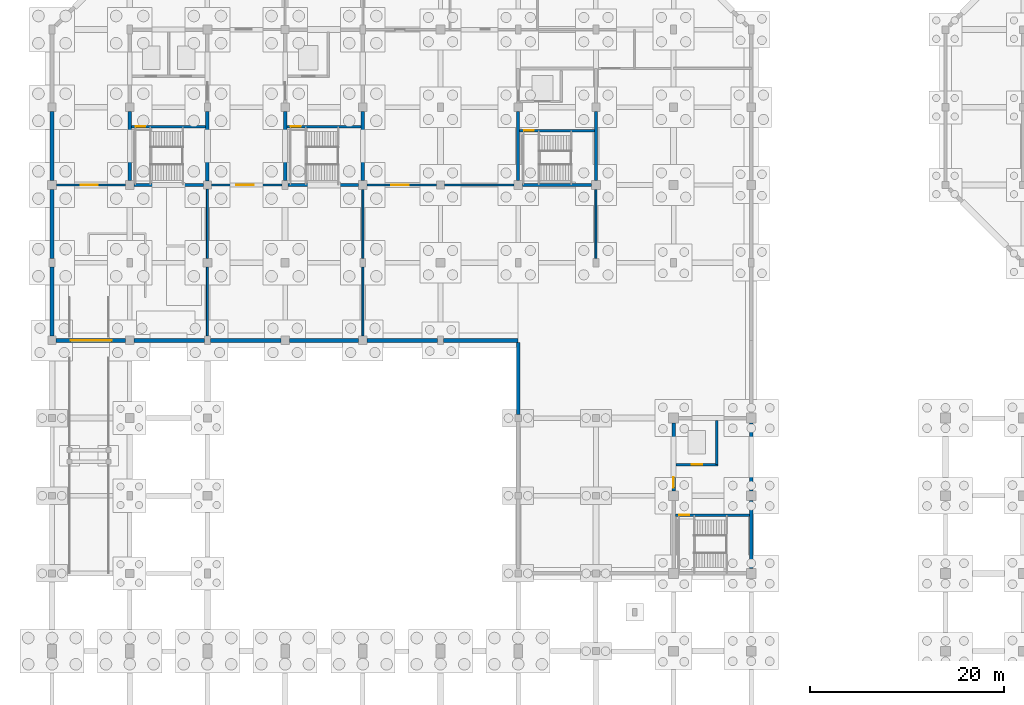
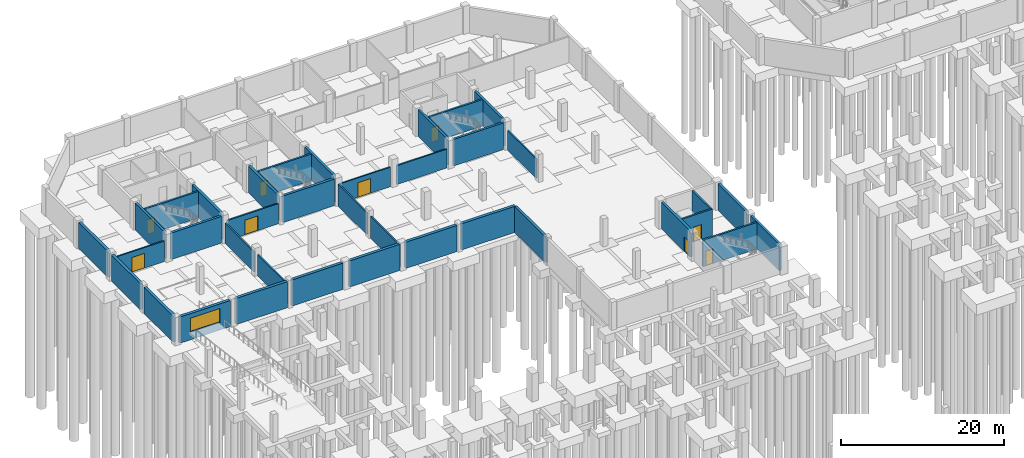
# One storey, part 22 of 32: 37 walls, 10 doors, 10 openings.
"""IFC4 building model written with IfcOpenShell, lengths in metres."""

from ifc_helpers import new_model, si_unit, direction, frame, frame_2d, origin, place, context, subcontext, project, spatial, rectangle, extrude, material, layer, layer_set, type_object, element, fill, save


model = new_model("IFC4")

# Units and contexts
model_context = context("Model", 3, precision=1e-05, world=origin(), true_north=direction((0.0, 1.0)))
body_context = subcontext(model_context, "Body", "Model", "MODEL_VIEW")
ifc_project = project(units=[si_unit("LENGTHUNIT", "METRE"), si_unit("AREAUNIT", "SQUARE_METRE"), si_unit("VOLUMEUNIT", "CUBIC_METRE"), si_unit("PLANEANGLEUNIT", "RADIAN"), si_unit("MASSUNIT", "GRAM", prefix="KILO")], contexts=[model_context])

# Site, building, storey
site_placement = place(None, origin())
site = spatial("IfcSite", under=ifc_project, at=site_placement, CompositionType="ELEMENT")
building_placement = place(site_placement, origin())
building = spatial("IfcBuilding", under=site, at=building_placement, Name="Tenunan Teduh Sports Hall", CompositionType="ELEMENT")
storey_placement = place(building_placement, frame((0.0, 0.0, -4.199951171875)))
storey = spatial("IfcBuildingStorey", under=building, at=storey_placement, Name="B1", CompositionType="ELEMENT", Elevation=-4.199951171875)

# Wall, opening, door
ifc_material_1 = material(Name="Concrete C40/50", Category="concrete")
ifc_layer_1 = layer(ifc_material_1, 0.25)
ifc_layer_set_1 = layer_set([ifc_layer_1], Name="Concrete C40/50")
wall_type_1 = type_object("IfcWallType", Name="WL-COR-250", PredefinedType="SOLIDWALL", material=ifc_layer_set_1)
wall_1_placement = place(storey_placement, frame((14.175048828125, 100.0, 0.0), z_axis=(0.0, 0.0, 1.0), x_axis=(1.0, 0.0, 0.0)))
wall_1 = element("IfcWall", 1, at=wall_1_placement, inside=storey, type_object=wall_type_1, Name="WL-COR-B1-007", PredefinedType="SOLIDWALL", context=body_context, shape_type="SweptSolid", body=[
    extrude(rectangle(XDim=7.64990234375, YDim=0.25, at=frame_2d((3.824951171875, 0.0))), origin(), (0.0, 0.0, 1.0), 3.97998046875),
])
opening_1_placement = place(wall_1_placement, frame((0.425048828125, 0.0, 0.0)))
opening_1 = element("IfcOpeningElement", 2, at=opening_1_placement, cuts=wall_1, Name="Opening FD-01", PredefinedType="OPENING", context=body_context, shape_type="SweptSolid", body=[
    extrude(rectangle(XDim=1.0, YDim=2.199951171875, at=frame_2d((0.5, 1.10009765625))), frame((0.0, 0.135009765625, 0.0), z_axis=(0.0, -1.0, 0.0), x_axis=(1.0, 0.0, 0.0)), (0.0, 0.0, 1.0), 0.27001953125),
])
ifc_material_2 = material(Name="Fire-rated steel leaf and frame", Category="steel")
door_type_1 = type_object("IfcDoorType", Name="FDR-01", OperationType="SINGLE_SWING_LEFT", PredefinedType="DOOR", material=ifc_material_2)
door_1_placement = place(opening_1_placement, frame((1.0, 0.0, 0.0), z_axis=(0.0, 0.0, 1.0), x_axis=(-1.0, 0.0, 0.0)))
door_1 = element("IfcDoor", 3, at=door_1_placement, inside=storey, type_object=door_type_1, Name="DR-INT-B1-002", OperationType="SINGLE_SWING_LEFT", OverallHeight=2.199951171875, OverallWidth=1.0, PredefinedType="DOOR", context=body_context, shape_type="SweptSolid", body=[
    extrude(rectangle(XDim=1.0, YDim=2.199951171875, at=frame_2d((0.5, 1.10009765625))), frame((0.0, 0.02490234375, 0.0), z_axis=(0.0, -1.0, 0.0), x_axis=(1.0, 0.0, 0.0)), (0.0, 0.0, 1.0), 0.050048828125),
])
fill(opening_1, door_1)

wall_2_placement = place(storey_placement, frame((30.175048828125, 100.0, 0.0), z_axis=(0.0, 0.0, 1.0), x_axis=(1.0, 0.0, 0.0)))
wall_2 = element("IfcWall", 4, at=wall_2_placement, inside=storey, type_object=wall_type_1, Name="WL-COR-B1-061", PredefinedType="SOLIDWALL", context=body_context, shape_type="SweptSolid", body=[
    extrude(rectangle(XDim=7.64990234375, YDim=0.25, at=frame_2d((3.824951171875, 0.0))), origin(), (0.0, 0.0, 1.0), 3.97998046875),
])
opening_2_placement = place(wall_2_placement, frame((0.425048828125, 0.0, 0.0)))
opening_2 = element("IfcOpeningElement", 5, at=opening_2_placement, cuts=wall_2, Name="Opening FD-01", PredefinedType="OPENING", context=body_context, shape_type="SweptSolid", body=[
    extrude(rectangle(XDim=1.0, YDim=2.199951171875, at=frame_2d((0.5, 1.10009765625))), frame((0.0, 0.135009765625, 0.0), z_axis=(0.0, -1.0, 0.0), x_axis=(1.0, 0.0, 0.0)), (0.0, 0.0, 1.0), 0.27001953125),
])
door_2_placement = place(opening_2_placement, frame((1.0, 0.0, 0.0), z_axis=(0.0, 0.0, 1.0), x_axis=(-1.0, 0.0, 0.0)))
door_2 = element("IfcDoor", 6, at=door_2_placement, inside=storey, type_object=door_type_1, Name="DR-INT-B1-026", OperationType="SINGLE_SWING_LEFT", OverallHeight=2.199951171875, OverallWidth=1.0, PredefinedType="DOOR", context=body_context, shape_type="SweptSolid", body=[
    extrude(rectangle(XDim=1.0, YDim=2.199951171875, at=frame_2d((0.5, 1.10009765625))), frame((0.0, 0.02490234375, 0.0), z_axis=(0.0, -1.0, 0.0), x_axis=(1.0, 0.0, 0.0)), (0.0, 0.0, 1.0), 0.050048828125),
])
fill(opening_2, door_2)

wall_3_placement = place(storey_placement, frame((54.14990234375, 99.60009765625, 0.0), z_axis=(0.0, 0.0, 1.0), x_axis=(1.0, 0.0, 0.0)))
wall_3 = element("IfcWall", 7, at=wall_3_placement, inside=storey, type_object=wall_type_1, Name="WL-COR-B1-115", PredefinedType="SOLIDWALL", context=body_context, shape_type="SweptSolid", body=[
    extrude(rectangle(XDim=7.7001953125, YDim=0.25, at=frame_2d((3.85009765625, 0.0))), origin(), (0.0, 0.0, 1.0), 3.97998046875),
])
opening_3_placement = place(wall_3_placement, frame((0.449951171875, 0.0, 0.0)))
opening_3 = element("IfcOpeningElement", 8, at=opening_3_placement, cuts=wall_3, Name="Opening FD-01", PredefinedType="OPENING", context=body_context, shape_type="SweptSolid", body=[
    extrude(rectangle(XDim=1.0, YDim=2.199951171875, at=frame_2d((0.5, 1.10009765625))), frame((0.0, 0.135009765625, 0.0), z_axis=(0.0, -1.0, 0.0), x_axis=(1.0, 0.0, 0.0)), (0.0, 0.0, 1.0), 0.27001953125),
])
door_3_placement = place(opening_3_placement, frame((1.0, 0.0, 0.0), z_axis=(0.0, 0.0, 1.0), x_axis=(-1.0, 0.0, 0.0)))
door_3 = element("IfcDoor", 9, at=door_3_placement, inside=storey, type_object=door_type_1, Name="DR-INT-B1-045", OperationType="SINGLE_SWING_RIGHT", OverallHeight=2.199951171875, OverallWidth=1.0, PredefinedType="DOOR", context=body_context, shape_type="SweptSolid", body=[
    extrude(rectangle(XDim=1.0, YDim=2.199951171875, at=frame_2d((0.5, 1.10009765625))), frame((0.0, 0.02490234375, 0.0), z_axis=(0.0, -1.0, 0.0), x_axis=(1.0, 0.0, 0.0)), (0.0, 0.0, 1.0), 0.050048828125),
])
fill(opening_3, door_3)

wall_4_placement = place(storey_placement, frame((70.175048828125, 60.0, 0.0), z_axis=(0.0, 0.0, 1.0), x_axis=(1.0, 0.0, 0.0)))
wall_4 = element("IfcWall", 10, at=wall_4_placement, inside=storey, type_object=wall_type_1, Name="WL-COR-B1-224", PredefinedType="SOLIDWALL", context=body_context, shape_type="SweptSolid", body=[
    extrude(rectangle(XDim=7.64990234375, YDim=0.25, at=frame_2d((3.824951171875, 0.0))), origin(), (0.0, 0.0, 1.0), 3.97998046875),
])
opening_4_placement = place(wall_4_placement, frame((0.425048828125, 0.0, 0.0)))
opening_4 = element("IfcOpeningElement", 11, at=opening_4_placement, cuts=wall_4, Name="Opening FD-01", PredefinedType="OPENING", context=body_context, shape_type="SweptSolid", body=[
    extrude(rectangle(XDim=1.0, YDim=2.199951171875, at=frame_2d((0.5, 1.10009765625))), frame((0.0, 0.135009765625, 0.0), z_axis=(0.0, -1.0, 0.0), x_axis=(1.0, 0.0, 0.0)), (0.0, 0.0, 1.0), 0.27001953125),
])
door_4_placement = place(opening_4_placement, frame((1.0, 0.0, 0.0), z_axis=(0.0, 0.0, 1.0), x_axis=(-1.0, 0.0, 0.0)))
door_4 = element("IfcDoor", 12, at=door_4_placement, inside=storey, type_object=door_type_1, Name="DR-INT-B1-086", OperationType="SINGLE_SWING_LEFT", OverallHeight=2.199951171875, OverallWidth=1.0, PredefinedType="DOOR", context=body_context, shape_type="SweptSolid", body=[
    extrude(rectangle(XDim=1.0, YDim=2.199951171875, at=frame_2d((0.5, 1.10009765625))), frame((0.0, 0.02490234375, 0.0), z_axis=(0.0, -1.0, 0.0), x_axis=(1.0, 0.0, 0.0)), (0.0, 0.0, 1.0), 0.050048828125),
])
fill(opening_4, door_4)

wall_5_placement = place(storey_placement, frame((70.25, 65.199951171875, 0.0), z_axis=(0.0, 0.0, 1.0), x_axis=(1.0, 0.0, 0.0)))
wall_5 = element("IfcWall", 13, at=wall_5_placement, inside=storey, type_object=wall_type_1, Name="WL-COR-B1-225", PredefinedType="SOLIDWALL", context=body_context, shape_type="SweptSolid", body=[
    extrude(rectangle(XDim=4.300048828125, YDim=0.25, at=frame_2d((2.14990234375, 0.0))), origin(), (0.0, 0.0, 1.0), 3.97998046875),
])
opening_5_placement = place(wall_5_placement, frame((1.60009765625, 0.0, 0.0)))
opening_5 = element("IfcOpeningElement", 14, at=opening_5_placement, cuts=wall_5, Name="Opening LD-1", PredefinedType="OPENING", context=body_context, shape_type="SweptSolid", body=[
    extrude(rectangle(XDim=1.10009765625, YDim=2.199951171875, at=frame_2d((0.550048828125, 1.10009765625))), frame((0.0, 0.135009765625, 0.0), z_axis=(0.0, -1.0, 0.0), x_axis=(1.0, 0.0, 0.0)), (0.0, 0.0, 1.0), 0.27001953125),
])
ifc_material_3 = material(Name="Brushed stainless steel landing doors", Category="steel")
door_type_2 = type_object("IfcDoorType", Name="LDR-01", OperationType="DOUBLE_DOOR_SLIDING", PredefinedType="DOOR", material=ifc_material_3)
door_5_placement = place(opening_5_placement, origin())
door_5 = element("IfcDoor", 15, at=door_5_placement, inside=storey, type_object=door_type_2, Name="Lift Landing Door LD-32", OperationType="DOUBLE_DOOR_SLIDING", OverallHeight=2.199951171875, OverallWidth=1.10009765625, PredefinedType="DOOR", context=body_context, shape_type="SweptSolid", body=[
    extrude(rectangle(XDim=1.10009765625, YDim=2.199951171875, at=frame_2d((0.550048828125, 1.10009765625))), frame((0.0, 0.02490234375, 0.0), z_axis=(0.0, -1.0, 0.0), x_axis=(1.0, 0.0, 0.0)), (0.0, 0.0, 1.0), 0.050048828125),
])
fill(opening_5, door_5)

# Wall
wall_6_placement = place(storey_placement, frame((74.449951171875, 65.199951171875, 0.0), z_axis=(0.0, 0.0, 1.0), x_axis=(0.0, 1.0, 0.0)))
element("IfcWall", 16, at=wall_6_placement, inside=storey, type_object=wall_type_1, Name="WL-COR-B1-226", PredefinedType="SOLIDWALL", context=body_context, shape_type="SweptSolid", body=[
    extrude(rectangle(XDim=4.550048828125, YDim=0.25, at=frame_2d((2.27490234375, 0.0))), origin(), (0.0, 0.0, 1.0), 3.97998046875),
])

# Wall, opening, door
ifc_material_4 = material(Name="Autoclaved aerated concrete blockwork", Category="masonry")
ifc_layer_2 = layer(ifc_material_4, 0.199951171875)
ifc_layer_set_2 = layer_set([ifc_layer_2], Name="Autoclaved aerated concrete blockwork")
wall_type_2 = type_object("IfcWallType", Name="WL-PRT-200", PredefinedType="PARTITIONING", material=ifc_layer_set_2)
wall_7_placement = place(storey_placement, frame((6.449951171875, 94.0, 0.0), z_axis=(0.0, 0.0, 1.0), x_axis=(1.0, 0.0, 0.0)))
wall_7 = element("IfcWall", 17, at=wall_7_placement, inside=storey, type_object=wall_type_2, Name="WL-PRT-B1-245", PredefinedType="PARTITIONING", context=body_context, shape_type="SweptSolid", body=[
    extrude(rectangle(XDim=7.10009765625, YDim=0.199951171875, at=frame_2d((3.550048828125, 0.0))), origin(), (0.0, 0.0, 1.0), 3.070068359375),
])
opening_6_placement = place(wall_7_placement, frame((2.47998046875, 0.0, 0.0)))
opening_6 = element("IfcOpeningElement", 18, at=opening_6_placement, cuts=wall_7, Name="Opening FD-03", PredefinedType="OPENING", context=body_context, shape_type="SweptSolid", body=[
    extrude(rectangle(XDim=1.800048828125, YDim=2.199951171875, at=frame_2d((0.89990234375, 1.10009765625))), frame((0.0, 0.10986328125, 0.0), z_axis=(0.0, -1.0, 0.0), x_axis=(1.0, 0.0, 0.0)), (0.0, 0.0, 1.0), 0.219970703125),
])
ifc_material_5 = material(Name="Fire-rated hardwood pair", Category="wood")
door_type_3 = type_object("IfcDoorType", Name="FDR-03", OperationType="DOUBLE_DOOR_SINGLE_SWING", PredefinedType="DOOR", material=ifc_material_5)
door_6_placement = place(opening_6_placement, origin())
door_6 = element("IfcDoor", 19, at=door_6_placement, inside=storey, type_object=door_type_3, Name="DR-INT-B1-094", OperationType="DOUBLE_DOOR_SINGLE_SWING", OverallHeight=2.199951171875, OverallWidth=1.800048828125, PredefinedType="DOOR", context=body_context, shape_type="SweptSolid", body=[
    extrude(rectangle(XDim=1.800048828125, YDim=2.199951171875, at=frame_2d((0.89990234375, 1.10009765625))), frame((0.0, 0.02490234375, 0.0), z_axis=(0.0, -1.0, 0.0), x_axis=(1.0, 0.0, 0.0)), (0.0, 0.0, 1.0), 0.050048828125),
])
fill(opening_6, door_6)

wall_8_placement = place(storey_placement, frame((22.425048828125, 94.0, 0.0), z_axis=(0.0, 0.0, 1.0), x_axis=(1.0, 0.0, 0.0)))
wall_8 = element("IfcWall", 20, at=wall_8_placement, inside=storey, type_object=wall_type_2, Name="WL-PRT-B1-246", PredefinedType="PARTITIONING", context=body_context, shape_type="SweptSolid", body=[
    extrude(rectangle(XDim=7.27490234375, YDim=0.199951171875, at=frame_2d((3.637451171875, 0.0))), origin(), (0.0, 0.0, 1.0), 3.02001953125),
])
opening_7_placement = place(wall_8_placement, frame((2.550048828125, 0.0, 0.0)))
opening_7 = element("IfcOpeningElement", 21, at=opening_7_placement, cuts=wall_8, Name="Opening FD-03", PredefinedType="OPENING", context=body_context, shape_type="SweptSolid", body=[
    extrude(rectangle(XDim=1.800048828125, YDim=2.199951171875, at=frame_2d((0.89990234375, 1.10009765625))), frame((0.0, 0.10986328125, 0.0), z_axis=(0.0, -1.0, 0.0), x_axis=(1.0, 0.0, 0.0)), (0.0, 0.0, 1.0), 0.219970703125),
])
door_7_placement = place(opening_7_placement, origin())
door_7 = element("IfcDoor", 22, at=door_7_placement, inside=storey, type_object=door_type_3, Name="DR-INT-B1-095", OperationType="DOUBLE_DOOR_SINGLE_SWING", OverallHeight=2.199951171875, OverallWidth=1.800048828125, PredefinedType="DOOR", context=body_context, shape_type="SweptSolid", body=[
    extrude(rectangle(XDim=1.800048828125, YDim=2.199951171875, at=frame_2d((0.89990234375, 1.10009765625))), frame((0.0, 0.02490234375, 0.0), z_axis=(0.0, -1.0, 0.0), x_axis=(1.0, 0.0, 0.0)), (0.0, 0.0, 1.0), 0.050048828125),
])
fill(opening_7, door_7)

wall_9_placement = place(storey_placement, frame((38.449951171875, 94.0, 0.0), z_axis=(0.0, 0.0, 1.0), x_axis=(1.0, 0.0, 0.0)))
wall_9 = element("IfcWall", 23, at=wall_9_placement, inside=storey, type_object=wall_type_2, Name="WL-PRT-B1-247", PredefinedType="PARTITIONING", context=body_context, shape_type="SweptSolid", body=[
    extrude(rectangle(XDim=7.125, YDim=0.199951171875, at=frame_2d((3.5625, 0.0))), origin(), (0.0, 0.0, 1.0), 2.919921875),
])
opening_8_placement = place(wall_9_placement, frame((2.489990234375, 0.0, 0.0)))
opening_8 = element("IfcOpeningElement", 24, at=opening_8_placement, cuts=wall_9, Name="Opening FD-03", PredefinedType="OPENING", context=body_context, shape_type="SweptSolid", body=[
    extrude(rectangle(XDim=1.800048828125, YDim=2.199951171875, at=frame_2d((0.89990234375, 1.10009765625))), frame((0.0, 0.10986328125, 0.0), z_axis=(0.0, -1.0, 0.0), x_axis=(1.0, 0.0, 0.0)), (0.0, 0.0, 1.0), 0.219970703125),
])
door_8_placement = place(opening_8_placement, origin())
door_8 = element("IfcDoor", 25, at=door_8_placement, inside=storey, type_object=door_type_3, Name="DR-INT-B1-096", OperationType="DOUBLE_DOOR_SINGLE_SWING", OverallHeight=2.199951171875, OverallWidth=1.800048828125, PredefinedType="DOOR", context=body_context, shape_type="SweptSolid", body=[
    extrude(rectangle(XDim=1.800048828125, YDim=2.199951171875, at=frame_2d((0.89990234375, 1.10009765625))), frame((0.0, 0.02490234375, 0.0), z_axis=(0.0, -1.0, 0.0), x_axis=(1.0, 0.0, 0.0)), (0.0, 0.0, 1.0), 0.050048828125),
])
fill(opening_8, door_8)

# Walls
wall_10_placement = place(storey_placement, frame((46.425048828125, 94.0, 0.0), z_axis=(0.0, 0.0, 1.0), x_axis=(1.0, 0.0, 0.0)))
element("IfcWall", 26, at=wall_10_placement, inside=storey, type_object=wall_type_2, Name="WL-PRT-B1-248", PredefinedType="PARTITIONING", context=body_context, shape_type="SweptSolid", body=[
    extrude(rectangle(XDim=7.125, YDim=0.199951171875, at=frame_2d((3.5625, 0.0))), origin(), (0.0, 0.0, 1.0), 2.820068359375),
])
wall_11_placement = place(storey_placement, frame((22.0, 78.449951171875, 0.0), z_axis=(0.0, 0.0, 1.0), x_axis=(0.0, 1.0, 0.0)))
element("IfcWall", 27, at=wall_11_placement, inside=storey, type_object=wall_type_2, Name="WL-PRT-B1-249", PredefinedType="PARTITIONING", context=body_context, shape_type="SweptSolid", body=[
    extrude(rectangle(XDim=7.10009765625, YDim=0.199951171875, at=frame_2d((3.550048828125, 0.0))), origin(), (0.0, 0.0, 1.0), 3.169921875),
])
wall_12_placement = place(storey_placement, frame((22.0, 86.449951171875, 0.0), z_axis=(0.0, 0.0, 1.0), x_axis=(0.0, 1.0, 0.0)))
element("IfcWall", 28, at=wall_12_placement, inside=storey, type_object=wall_type_2, Name="WL-PRT-B1-250", PredefinedType="PARTITIONING", context=body_context, shape_type="SweptSolid", body=[
    extrude(rectangle(XDim=7.125, YDim=0.199951171875, at=frame_2d((3.5625, 0.0))), origin(), (0.0, 0.0, 1.0), 3.02001953125),
])
wall_13_placement = place(storey_placement, frame((38.0, 78.425048828125, 0.0), z_axis=(0.0, 0.0, 1.0), x_axis=(0.0, 1.0, 0.0)))
element("IfcWall", 29, at=wall_13_placement, inside=storey, type_object=wall_type_2, Name="WL-PRT-B1-251", PredefinedType="PARTITIONING", context=body_context, shape_type="SweptSolid", body=[
    extrude(rectangle(XDim=7.125, YDim=0.199951171875, at=frame_2d((3.5625, 0.0))), origin(), (0.0, 0.0, 1.0), 3.320068359375),
])
wall_14_placement = place(storey_placement, frame((38.0, 86.449951171875, 0.0), z_axis=(0.0, 0.0, 1.0), x_axis=(0.0, 1.0, 0.0)))
element("IfcWall", 30, at=wall_14_placement, inside=storey, type_object=wall_type_2, Name="WL-PRT-B1-252", PredefinedType="PARTITIONING", context=body_context, shape_type="SweptSolid", body=[
    extrude(rectangle(XDim=7.10009765625, YDim=0.199951171875, at=frame_2d((3.550048828125, 0.0))), origin(), (0.0, 0.0, 1.0), 3.27001953125),
])
wall_15_placement = place(storey_placement, frame((62.0, 86.449951171875, 0.0), z_axis=(0.0, 0.0, 1.0), x_axis=(0.0, 1.0, 0.0)))
element("IfcWall", 31, at=wall_15_placement, inside=storey, type_object=wall_type_2, Name="WL-PRT-B1-262", PredefinedType="PARTITIONING", context=body_context, shape_type="SweptSolid", body=[
    extrude(rectangle(XDim=7.10009765625, YDim=0.199951171875, at=frame_2d((3.550048828125, 0.0))), origin(), (0.0, 0.0, 1.0), 2.919921875),
])
ifc_material_6 = material(Name="Concrete C40/50", Category="concrete")
ifc_layer_3 = layer(ifc_material_6, 0.35009765625)
ifc_layer_set_3 = layer_set([ifc_layer_3], Name="Concrete C40/50")
wall_type_3 = type_object("IfcWallType", Name="WL-RET-350", PredefinedType="USERDEFINED", material=ifc_layer_set_3)
wall_16_placement = place(storey_placement, frame((54.0, 70.35009765625, 0.0), z_axis=(0.0, 0.0, 1.0), x_axis=(0.0, 1.0, 0.0)))
element("IfcWall", 32, at=wall_16_placement, inside=storey, type_object=wall_type_3, Name="WL-EXT-B1-027", ObjectType="RETAINING WALL", PredefinedType="USERDEFINED", context=body_context, shape_type="SweptSolid", body=[
    extrude(rectangle(XDim=7.429931640625, YDim=0.35009765625, at=frame_2d((3.71484375, 0.0))), origin(), (0.0, 0.0, 1.0), 3.919921875),
])

# Wall, opening, door
ifc_material_7 = material(Name="Concrete C40/50", Category="concrete")
ifc_layer_4 = layer(ifc_material_7, 0.39990234375)
ifc_layer_set_4 = layer_set([ifc_layer_4], Name="Concrete C40/50")
wall_type_4 = type_object("IfcWallType", Name="WL-RET-400", PredefinedType="USERDEFINED", material=ifc_layer_set_4)
wall_17_placement = place(storey_placement, frame((6.425048828125, 78.0, 0.0), z_axis=(0.0, 0.0, 1.0), x_axis=(1.0, 0.0, 0.0)))
wall_17 = element("IfcWall", 33, at=wall_17_placement, inside=storey, type_object=wall_type_4, Name="WL-EXT-B1-001", ObjectType="RETAINING WALL", PredefinedType="USERDEFINED", context=body_context, shape_type="SweptSolid", body=[
    extrude(rectangle(XDim=7.14990234375, YDim=0.39990234375, at=frame_2d((3.574951171875, 0.0))), origin(), (0.0, 0.0, 1.0), 3.919921875),
])
opening_9_placement = place(wall_17_placement, frame((1.5, 0.0, 1.139892578125)))
opening_9 = element("IfcOpeningElement", 34, at=opening_9_placement, cuts=wall_17, Name="Opening EG-01", PredefinedType="OPENING", context=body_context, shape_type="SweptSolid", body=[
    extrude(rectangle(XDim=4.199951171875, YDim=2.10009765625, at=frame_2d((2.10009765625, 1.050048828125))), frame((0.0, 0.2099609375, 0.0), z_axis=(0.0, -1.0, 0.0), x_axis=(1.0, 0.0, 0.0)), (0.0, 0.0, 1.0), 0.419921875),
])
ifc_material_8 = material(Name="Powder-coated aluminium and laminated safety glass", Category="aluminium")
door_type_4 = type_object("IfcDoorType", Name="EGT-01", OperationType="ROLLINGUP", PredefinedType="GATE", material=ifc_material_8)
door_9_placement = place(opening_9_placement, origin())
door_9 = element("IfcDoor", 35, at=door_9_placement, inside=storey, type_object=door_type_4, Name="DR-EXT-B1-001", OperationType="ROLLINGUP", OverallHeight=2.10009765625, OverallWidth=4.199951171875, PredefinedType="GATE", context=body_context, shape_type="SweptSolid", body=[
    extrude(rectangle(XDim=4.199951171875, YDim=2.10009765625, at=frame_2d((2.10009765625, 1.050048828125))), frame((0.0, 0.02490234375, 0.0), z_axis=(0.0, -1.0, 0.0), x_axis=(1.0, 0.0, 0.0)), (0.0, 0.0, 1.0), 0.050048828125),
])
fill(opening_9, door_9)

# Walls
wall_18_placement = place(storey_placement, frame((14.425048828125, 78.0, 0.0), z_axis=(0.0, 0.0, 1.0), x_axis=(1.0, 0.0, 0.0)))
element("IfcWall", 36, at=wall_18_placement, inside=storey, type_object=wall_type_4, Name="WL-EXT-B1-002", ObjectType="RETAINING WALL", PredefinedType="USERDEFINED", context=body_context, shape_type="SweptSolid", body=[
    extrude(rectangle(XDim=7.27490234375, YDim=0.39990234375, at=frame_2d((3.637451171875, 0.0))), origin(), (0.0, 0.0, 1.0), 3.919921875),
])
wall_19_placement = place(storey_placement, frame((22.300048828125, 78.0, 0.0), z_axis=(0.0, 0.0, 1.0), x_axis=(1.0, 0.0, 0.0)))
element("IfcWall", 37, at=wall_19_placement, inside=storey, type_object=wall_type_4, Name="WL-EXT-B1-003", ObjectType="RETAINING WALL", PredefinedType="USERDEFINED", context=body_context, shape_type="SweptSolid", body=[
    extrude(rectangle(XDim=7.25, YDim=0.39990234375, at=frame_2d((3.625, 0.0))), origin(), (0.0, 0.0, 1.0), 3.919921875),
])
wall_20_placement = place(storey_placement, frame((30.449951171875, 78.0, 0.0), z_axis=(0.0, 0.0, 1.0), x_axis=(1.0, 0.0, 0.0)))
element("IfcWall", 38, at=wall_20_placement, inside=storey, type_object=wall_type_4, Name="WL-EXT-B1-004", ObjectType="RETAINING WALL", PredefinedType="USERDEFINED", context=body_context, shape_type="SweptSolid", body=[
    extrude(rectangle(XDim=7.125, YDim=0.39990234375, at=frame_2d((3.5625, 0.0))), origin(), (0.0, 0.0, 1.0), 3.919921875),
])
wall_21_placement = place(storey_placement, frame((38.425048828125, 78.0, 0.0), z_axis=(0.0, 0.0, 1.0), x_axis=(1.0, 0.0, 0.0)))
element("IfcWall", 39, at=wall_21_placement, inside=storey, type_object=wall_type_4, Name="WL-EXT-B1-005", ObjectType="RETAINING WALL", PredefinedType="USERDEFINED", context=body_context, shape_type="SweptSolid", body=[
    extrude(rectangle(XDim=7.27490234375, YDim=0.39990234375, at=frame_2d((3.637451171875, 0.0))), origin(), (0.0, 0.0, 1.0), 3.919921875),
])
wall_22_placement = place(storey_placement, frame((46.300048828125, 78.0, 0.0), z_axis=(0.0, 0.0, 1.0), x_axis=(1.0, 0.0, 0.0)))
element("IfcWall", 40, at=wall_22_placement, inside=storey, type_object=wall_type_4, Name="WL-EXT-B1-006", ObjectType="RETAINING WALL", PredefinedType="USERDEFINED", context=body_context, shape_type="SweptSolid", body=[
    extrude(rectangle(XDim=7.699951171875, YDim=0.39990234375, at=frame_2d((3.85009765625, 0.0))), origin(), (0.0, 0.0, 1.0), 3.919921875),
])
wall_23_placement = place(storey_placement, frame((6.0, 78.425048828125, 0.0), z_axis=(0.0, 0.0, 1.0), x_axis=(0.0, 1.0, 0.0)))
element("IfcWall", 41, at=wall_23_placement, inside=storey, type_object=wall_type_4, Name="WL-EXT-B1-007", ObjectType="RETAINING WALL", PredefinedType="USERDEFINED", context=body_context, shape_type="SweptSolid", body=[
    extrude(rectangle(XDim=7.125, YDim=0.39990234375, at=frame_2d((3.5625, 0.0))), origin(), (0.0, 0.0, 1.0), 3.919921875),
])
wall_24_placement = place(storey_placement, frame((6.0, 86.449951171875, 0.0), z_axis=(0.0, 0.0, 1.0), x_axis=(0.0, 1.0, 0.0)))
element("IfcWall", 42, at=wall_24_placement, inside=storey, type_object=wall_type_4, Name="WL-EXT-B1-008", ObjectType="RETAINING WALL", PredefinedType="USERDEFINED", context=body_context, shape_type="SweptSolid", body=[
    extrude(rectangle(XDim=7.10009765625, YDim=0.39990234375, at=frame_2d((3.550048828125, 0.0))), origin(), (0.0, 0.0, 1.0), 3.919921875),
])
wall_25_placement = place(storey_placement, frame((6.0, 94.449951171875, 0.0), z_axis=(0.0, 0.0, 1.0), x_axis=(0.0, 1.0, 0.0)))
element("IfcWall", 43, at=wall_25_placement, inside=storey, type_object=wall_type_4, Name="WL-EXT-B1-009", ObjectType="RETAINING WALL", PredefinedType="USERDEFINED", context=body_context, shape_type="SweptSolid", body=[
    extrude(rectangle(XDim=7.125, YDim=0.39990234375, at=frame_2d((3.5625, 0.0))), origin(), (0.0, 0.0, 1.0), 3.919921875),
])
ifc_material_9 = material(Name="Concrete C40/50", Category="concrete")
ifc_layer_5 = layer(ifc_material_9, 0.300048828125)
ifc_layer_set_5 = layer_set([ifc_layer_5], Name="Concrete C40/50")
wall_type_5 = type_object("IfcWallType", Name="WL-SHR-300", PredefinedType="SHEAR", material=ifc_layer_set_5)
wall_26_placement = place(storey_placement, frame((54.449951171875, 94.0, 0.0), z_axis=(0.0, 0.0, 1.0), x_axis=(1.0, 0.0, 0.0)))
element("IfcWall", 44, at=wall_26_placement, inside=storey, type_object=wall_type_5, Name="WL-COR-B1-109", PredefinedType="SHEAR", context=body_context, shape_type="SweptSolid", body=[
    extrude(rectangle(XDim=7.10009765625, YDim=0.300048828125, at=frame_2d((3.550048828125, 0.0))), origin(), (0.0, 0.0, 1.0), 3.97998046875),
])
for number, where, z_axis, x_axis, name in (
    (45, (54.0, 94.449951171875, 0.0), (0.0, 0.0, 1.0), (0.0, 1.0, 0.0), "WL-COR-B1-111"),
    (46, (62.0, 94.449951171875, 0.0), (0.0, 0.0, 1.0), (0.0, 1.0, 0.0), "WL-COR-B1-113"),
):
    element("IfcWall", number, at=place(storey_placement, frame(where, z_axis=z_axis, x_axis=x_axis)), inside=storey, type_object=wall_type_5, Name=name, PredefinedType="SHEAR", context=body_context, shape_type="SweptSolid", body=[
        extrude(rectangle(XDim=7.125, YDim=0.300048828125, at=frame_2d((3.5625, 0.0))), origin(), (0.0, 0.0, 1.0), 3.97998046875),
    ])
ifc_material_10 = material(Name="Concrete C40/50", Category="concrete")
ifc_layer_6 = layer(ifc_material_10, 0.35009765625)
ifc_layer_set_6 = layer_set([ifc_layer_6], Name="Concrete C40/50")
wall_type_6 = type_object("IfcWallType", Name="WL-SHR-350", PredefinedType="SHEAR", material=ifc_layer_set_6)
for number, where, z_axis, x_axis, name in (
    (47, (14.449951171875, 94.0, 0.0), (0.0, 0.0, 1.0), (1.0, 0.0, 0.0), "WL-COR-B1-001"),
    (48, (14.0, 94.449951171875, 0.0), (0.0, 0.0, 1.0), (0.0, 1.0, 0.0), "WL-COR-B1-003"),
    (49, (22.0, 94.425048828125, 0.0), (0.0, 0.0, 1.0), (0.0, 1.0, 0.0), "WL-COR-B1-005"),
):
    element("IfcWall", number, at=place(storey_placement, frame(where, z_axis=z_axis, x_axis=x_axis)), inside=storey, type_object=wall_type_6, Name=name, PredefinedType="SHEAR", context=body_context, shape_type="SweptSolid", body=[
        extrude(rectangle(XDim=7.125, YDim=0.35009765625, at=frame_2d((3.5625, 0.0))), origin(), (0.0, 0.0, 1.0), 3.97998046875),
    ])
wall_27_placement = place(storey_placement, frame((30.300048828125, 94.0, 0.0), z_axis=(0.0, 0.0, 1.0), x_axis=(1.0, 0.0, 0.0)))
element("IfcWall", 50, at=wall_27_placement, inside=storey, type_object=wall_type_6, Name="WL-COR-B1-055", PredefinedType="SHEAR", context=body_context, shape_type="SweptSolid", body=[
    extrude(rectangle(XDim=7.25, YDim=0.35009765625, at=frame_2d((3.625, 0.0))), origin(), (0.0, 0.0, 1.0), 3.97998046875),
])
wall_28_placement = place(storey_placement, frame((30.0, 94.449951171875, 0.0), z_axis=(0.0, 0.0, 1.0), x_axis=(0.0, 1.0, 0.0)))
element("IfcWall", 51, at=wall_28_placement, inside=storey, type_object=wall_type_6, Name="WL-COR-B1-057", PredefinedType="SHEAR", context=body_context, shape_type="SweptSolid", body=[
    extrude(rectangle(XDim=7.10009765625, YDim=0.35009765625, at=frame_2d((3.550048828125, 0.0))), origin(), (0.0, 0.0, 1.0), 3.97998046875),
])
wall_29_placement = place(storey_placement, frame((38.0, 94.449951171875, 0.0), z_axis=(0.0, 0.0, 1.0), x_axis=(0.0, 1.0, 0.0)))
element("IfcWall", 52, at=wall_29_placement, inside=storey, type_object=wall_type_6, Name="WL-COR-B1-059", PredefinedType="SHEAR", context=body_context, shape_type="SweptSolid", body=[
    extrude(rectangle(XDim=7.125, YDim=0.35009765625, at=frame_2d((3.5625, 0.0))), origin(), (0.0, 0.0, 1.0), 3.97998046875),
])

# Wall, opening, door
wall_30_placement = place(storey_placement, frame((70.0, 62.5, 0.0), z_axis=(0.0, 0.0, 1.0), x_axis=(0.0, 1.0, 0.0)))
wall_30 = element("IfcWall", 53, at=wall_30_placement, inside=storey, type_object=wall_type_6, Name="WL-COR-B1-221", PredefinedType="SHEAR", context=body_context, shape_type="SweptSolid", body=[
    extrude(rectangle(XDim=7.0, YDim=0.35009765625, at=frame_2d((3.5, 0.0))), origin(), (0.0, 0.0, 1.0), 3.97998046875),
])
opening_10_placement = place(wall_30_placement, frame((0.35009765625, 0.0, 0.0)))
opening_10 = element("IfcOpeningElement", 54, at=opening_10_placement, cuts=wall_30, Name="Opening FD-02", PredefinedType="OPENING", context=body_context, shape_type="SweptSolid", body=[
    extrude(rectangle(XDim=1.050048828125, YDim=2.199951171875, at=frame_2d((0.52490234375, 1.10009765625))), frame((0.0, 0.18505859375, 0.0), z_axis=(0.0, -1.0, 0.0), x_axis=(1.0, 0.0, 0.0)), (0.0, 0.0, 1.0), 0.3701171875),
])
ifc_material_11 = material(Name="Fire-rated steel leaf and frame", Category="steel")
door_type_5 = type_object("IfcDoorType", Name="FDR-02", OperationType="SINGLE_SWING_RIGHT", PredefinedType="DOOR", material=ifc_material_11)
door_10_placement = place(opening_10_placement, origin())
door_10 = element("IfcDoor", 55, at=door_10_placement, inside=storey, type_object=door_type_5, Name="DR-INT-B1-085", OperationType="SINGLE_SWING_LEFT", OverallHeight=2.199951171875, OverallWidth=1.050048828125, PredefinedType="DOOR", context=body_context, shape_type="SweptSolid", body=[
    extrude(rectangle(XDim=1.050048828125, YDim=2.199951171875, at=frame_2d((0.52490234375, 1.10009765625))), frame((0.0, 0.02490234375, 0.0), z_axis=(0.0, -1.0, 0.0), x_axis=(1.0, 0.0, 0.0)), (0.0, 0.0, 1.0), 0.050048828125),
])
fill(opening_10, door_10)

# Walls
for number, where, z_axis, x_axis, name in (
    (56, (78.0, 54.5, 0.0), (0.0, 0.0, 1.0), (0.0, 1.0, 0.0), "WL-COR-B1-222"),
    (57, (78.0, 62.5, 0.0), (0.0, 0.0, 1.0), (0.0, 1.0, 0.0), "WL-COR-B1-223"),
):
    element("IfcWall", number, at=place(storey_placement, frame(where, z_axis=z_axis, x_axis=x_axis)), inside=storey, type_object=wall_type_6, Name=name, PredefinedType="SHEAR", context=body_context, shape_type="SweptSolid", body=[
        extrude(rectangle(XDim=7.0, YDim=0.35009765625, at=frame_2d((3.5, 0.0))), origin(), (0.0, 0.0, 1.0), 3.97998046875),
    ])

save(model, "model.ifc")
